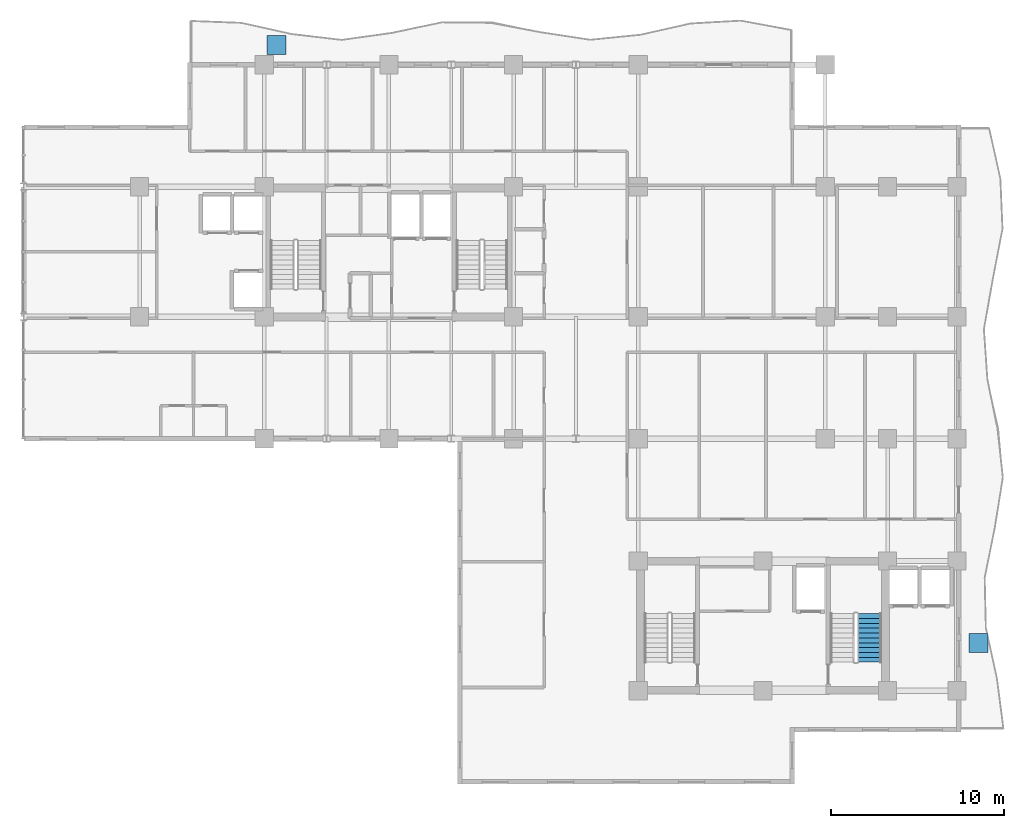
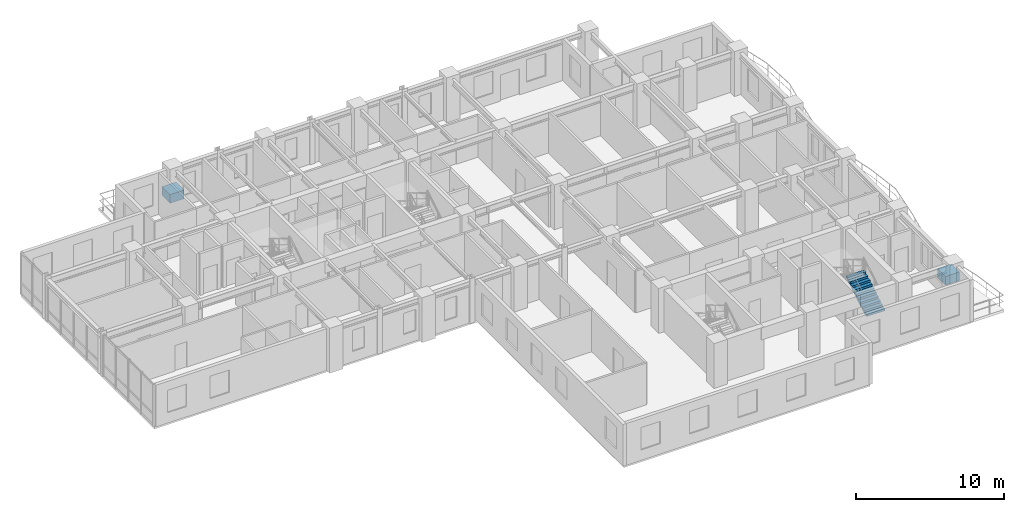
# One storey, part 15 of 18: 2 discrete accessories, 1 stair flight, 1 element without a shape of its own.
"""IFC4 building model written with IfcOpenShell, lengths in metres."""

import ifcopenshell
import ifcopenshell.guid

model = None  # the IFC model being written
_history = None  # IfcOwnerHistory: only IFC2X3 demands one
_inside = {}  # id of a spatial element -> (the spatial element, [elements in it])
_under = {}  # id of a project, library or spatial element -> (it, [spatial elements below it])
_declared = {}  # id of a project -> (the project, [libraries it declares])
_typed = {}  # id of a type object -> (the type object, [elements of that type])
_made_of = {}  # id of a material, layer set ... -> (it, [elements and type objects made of it])


def new_model(schema):
    """Start an empty IFC model of exactly this schema.

    Asked for "IFC4X3", IfcOpenShell would pick the latest addendum, in which some entities
    have other attributes; the version numbers below select the first issue.
    IFC2X3 requires an IfcOwnerHistory on every rooted entity: one is made here for all.
    """
    global model, _history
    if schema == "IFC4X3":
        model = ifcopenshell.file(schema_version=(4, 3, 0, 0))
    else:
        model = ifcopenshell.file(schema=schema)
    _inside.clear()
    _under.clear()
    _declared.clear()
    _typed.clear()
    _made_of.clear()
    _history = None
    if model.schema == "IFC2X3":
        org = make("IfcOrganization", Name="unknown")
        user = make(
            "IfcPersonAndOrganization",
            ThePerson=make("IfcPerson", FamilyName="unknown"),
            TheOrganization=org,
        )
        app = make(
            "IfcApplication",
            ApplicationDeveloper=org,
            Version="unknown",
            ApplicationFullName="unknown",
            ApplicationIdentifier="unknown",
        )
        _history = make(
            "IfcOwnerHistory",
            OwningUser=user,
            OwningApplication=app,
            ChangeAction="ADDED",
            CreationDate=0,
        )
    return model


def make(cls, **values):
    """One entity of the class cls with the attributes given. An attribute that is None is left unset."""
    return model.create_entity(
        cls, **{name: value for name, value in values.items() if value is not None}
    )


def rooted(cls, **values):
    """An entity with a GlobalId (a new one), such as an element, a storey or a relation."""
    return make(cls, GlobalId=ifcopenshell.guid.new(), OwnerHistory=_history, **values)


def si_unit(unit_type, name, prefix=None):
    """IfcSIUnit, for example si_unit("LENGTHUNIT", "METRE", prefix="MILLI")."""
    return make("IfcSIUnit", UnitType=unit_type, Prefix=prefix, Name=name)


def assignment(units):
    """IfcUnitAssignment: the units of a project."""
    return None if units is None else make("IfcUnitAssignment", Units=units)


def point(xyz):
    """IfcCartesianPoint."""
    return None if xyz is None else make("IfcCartesianPoint", Coordinates=xyz)


def direction(xyz):
    """IfcDirection."""
    return None if xyz is None else make("IfcDirection", DirectionRatios=xyz)


def frame(location, z_axis=None, x_axis=None):
    """IfcAxis2Placement3D, a coordinate frame: its origin and axes. An axis left out is left unset."""
    return make(
        "IfcAxis2Placement3D",
        Location=point(location),
        Axis=direction(z_axis),
        RefDirection=direction(x_axis),
    )


def frame_2d(location, x_axis=None):
    """IfcAxis2Placement2D, a coordinate frame in the plane: its origin and x axis."""
    return make(
        "IfcAxis2Placement2D", Location=point(location), RefDirection=direction(x_axis)
    )


def origin():
    """The frame at (0, 0, 0) with its axes left unset."""
    return frame((0.0, 0.0, 0.0))


def origin_2d():
    """The frame at (0, 0) in the plane with its x axis left unset."""
    return frame_2d((0.0, 0.0))


def place(relative_to, where):
    """IfcLocalPlacement: puts the frame where relative to a parent placement (None: the world)."""
    return make(
        "IfcLocalPlacement", PlacementRelTo=relative_to, RelativePlacement=where
    )


def context(
    kind, dimensions, precision=None, world=None, true_north=None, identifier=None
):
    """IfcGeometricRepresentationContext, for example the 3D "Model" context."""
    return make(
        "IfcGeometricRepresentationContext",
        ContextIdentifier=identifier,
        ContextType=kind,
        CoordinateSpaceDimension=dimensions,
        Precision=precision,
        WorldCoordinateSystem=world,
        TrueNorth=true_north,
    )


def subcontext(parent, identifier, kind, view, scale=None):
    """IfcGeometricRepresentationSubContext, for example "Body" below "Model"."""
    return make(
        "IfcGeometricRepresentationSubContext",
        ContextIdentifier=identifier,
        ContextType=kind,
        ParentContext=parent,
        TargetScale=scale,
        TargetView=view,
    )


def project(units=None, contexts=None):
    """IfcProject with its units and contexts."""
    return rooted(
        "IfcProject",
        Name="project",
        RepresentationContexts=contexts,
        UnitsInContext=assignment(units),
    )


def spatial(cls, under=None, at=None, **own):
    """A site, building, storey or space (cls), placed at a placement, below another one or the project."""
    s = rooted(cls, ObjectPlacement=at, **own)
    if under is not None:
        _under.setdefault(under.id(), (under, []))[1].append(s)
    return s


def polyline(points):
    """IfcPolyline through the points."""
    return make("IfcPolyline", Points=[point(p) for p in points])


def profile(cls, at=None, kind="AREA", **sizes):
    """A parametric profile (cls). Its sizes go by their IFC names, for example OverallWidth=200.0."""
    return make(cls, ProfileType=kind, Position=at, **sizes)


def rectangle(**sizes):
    """IfcRectangleProfileDef."""
    return profile("IfcRectangleProfileDef", **sizes)


def outline(outer, holes=None, kind="AREA"):
    """IfcArbitraryClosedProfileDef: a profile drawn as a closed curve; with holes, ...WithVoids."""
    if holes is None:
        return make("IfcArbitraryClosedProfileDef", ProfileType=kind, OuterCurve=outer)
    return make(
        "IfcArbitraryProfileDefWithVoids",
        ProfileType=kind,
        OuterCurve=outer,
        InnerCurves=holes,
    )


def extrude(swept, where, along, depth):
    """IfcExtrudedAreaSolid: the profile swept, set in the frame where, extruded along a direction by depth."""
    return make(
        "IfcExtrudedAreaSolid",
        SweptArea=swept,
        Position=where,
        ExtrudedDirection=direction(along),
        Depth=depth,
    )


def shape(context_of_items, identifier, shape_type, items):
    """IfcShapeRepresentation: the items that make up one representation, for example the "Body"."""
    return make(
        "IfcShapeRepresentation",
        ContextOfItems=context_of_items,
        RepresentationIdentifier=identifier,
        RepresentationType=shape_type,
        Items=items,
    )


def source(mapping_origin, context_of_items, identifier, shape_type, items):
    """IfcRepresentationMap: a shape defined once, which mapped items show again and again."""
    return make(
        "IfcRepresentationMap",
        MappingOrigin=mapping_origin,
        MappedRepresentation=shape(context_of_items, identifier, shape_type, items),
    )


def transform(
    local_origin,
    x_axis=None,
    y_axis=None,
    z_axis=None,
    scale=None,
    scale2=None,
    scale3=None,
    uniform=True,
):
    """IfcCartesianTransformationOperator3D, or its non-uniform kind. x_axis, y_axis, z_axis: its Axis1, 2, 3."""
    if uniform:
        return make(
            "IfcCartesianTransformationOperator3D",
            Axis1=direction(x_axis),
            Axis2=direction(y_axis),
            LocalOrigin=point(local_origin),
            Scale=scale,
            Axis3=direction(z_axis),
        )
    return make(
        "IfcCartesianTransformationOperator3DnonUniform",
        Axis1=direction(x_axis),
        Axis2=direction(y_axis),
        LocalOrigin=point(local_origin),
        Scale=scale,
        Axis3=direction(z_axis),
        Scale2=scale2,
        Scale3=scale3,
    )


def mapped(mapping_source, mapping_target):
    """IfcMappedItem: shows the shape of a source again, moved by a transform."""
    return make(
        "IfcMappedItem", MappingSource=mapping_source, MappingTarget=mapping_target
    )


def material(Name=None, Category=None):
    """IfcMaterial."""
    return make("IfcMaterial", Name=Name, Category=Category)


def made_of(thing, what):
    """Note that an element or type object is made of a material, layer set ...; save() writes the relation."""
    if what is not None:
        _made_of.setdefault(what.id(), (what, []))[1].append(thing)
    return thing


def type_object(cls, material=None, **own):
    """A type object (cls), such as IfcWallType, which elements share."""
    return made_of(rooted(cls, **own), material)


def element(
    cls,
    number,
    at=None,
    inside=None,
    cuts=None,
    type_object=None,
    material=None,
    context=None,
    identifier="Body",
    shape_type=None,
    held_by="IfcProductDefinitionShape",
    body=None,
    shapes=None,
    **own,
):
    """One element of the class cls, such as IfcWall. Its Tag is "e" and its number.

    at: its placement. inside: the storey or other place that contains it. cuts: it is an
    opening in that element (IfcRelVoidsElement). A single representation is given by context,
    identifier, shape_type and body (its items); several are given by shapes. held_by: the class
    of the entity that holds the representations. save() writes the other relations.
    """
    e = rooted(cls, Tag="e%d" % number, ObjectPlacement=at, **own)
    if body is not None:
        shapes = [shape(context, identifier, shape_type, body)]
    if shapes is not None:
        e.Representation = make(held_by, Representations=shapes)
    if inside is not None:
        _inside.setdefault(inside.id(), (inside, []))[1].append(e)
    if cuts is not None:
        rooted(
            "IfcRelVoidsElement", RelatingBuildingElement=cuts, RelatedOpeningElement=e
        )
    if type_object is not None:
        _typed.setdefault(type_object.id(), (type_object, []))[1].append(e)
    return made_of(e, material)


def aggregate(whole, parts):
    """IfcRelAggregates: a whole, such as a stair, and the parts it consists of."""
    return rooted("IfcRelAggregates", RelatingObject=whole, RelatedObjects=parts)


def save(model, path):
    """Write the relations noted so far, then the file.

    IfcRelAggregates (storeys below a building ...), IfcRelContainedInSpatialStructure (elements
    in a storey), IfcRelDefinesByType, IfcRelAssociatesMaterial and IfcRelDeclares: one each for
    every whole, place, type object, material and project.
    """
    for whole, parts in _under.values():
        aggregate(whole, parts)
    for where, things in _inside.values():
        rooted(
            "IfcRelContainedInSpatialStructure",
            RelatedElements=things,
            RelatingStructure=where,
        )
    for kind, things in _typed.values():
        rooted("IfcRelDefinesByType", RelatedObjects=things, RelatingType=kind)
    for what, things in _made_of.values():
        rooted("IfcRelAssociatesMaterial", RelatedObjects=things, RelatingMaterial=what)
    for by, libraries in _declared.values():
        rooted("IfcRelDeclares", RelatingContext=by, RelatedDefinitions=libraries)
    model.write(path)


model = new_model("IFC4")

# Units and contexts
model_context = context("Model", 3, precision=1e-05, world=origin(), true_north=direction((0.0, 1.0)))
body_context = subcontext(model_context, "Body", "Model", "MODEL_VIEW")
ifc_project = project(units=[si_unit("LENGTHUNIT", "METRE"), si_unit("AREAUNIT", "SQUARE_METRE"), si_unit("VOLUMEUNIT", "CUBIC_METRE"), si_unit("PLANEANGLEUNIT", "RADIAN"), si_unit("MASSUNIT", "GRAM", prefix="KILO")], contexts=[model_context])

# Site, building, storey
site_placement = place(None, origin())
site = spatial("IfcSite", under=ifc_project, at=site_placement, CompositionType="ELEMENT")
building_placement = place(site_placement, origin())
building = spatial("IfcBuilding", under=site, at=building_placement, Name="Kaliganga Portal Commons", CompositionType="ELEMENT")
storey_placement = place(building_placement, frame((0.0, 0.0, 169.800048828125)))
storey = spatial("IfcBuildingStorey", under=building, at=storey_placement, Name="L43", CompositionType="ELEMENT", Elevation=169.800048828125)

# Stair, stair flight
ifc_material_1 = material(Name="Concrete C40/50", Category="concrete")
stair_type = type_object("IfcStairType", Name="ST-CORE-DOGLEG", PredefinedType="HALF_TURN_STAIR", material=ifc_material_1)
stair_placement = place(storey_placement, origin())
stair = element("IfcStair", 1, at=stair_placement, inside=storey, type_object=stair_type, Name="L43 Protected Exit Stair ST-B2", PredefinedType="HALF_TURN_STAIR")
stair_flight_type = type_object("IfcStairFlightType", Name="STF-RC-1400", PredefinedType="STRAIGHT", material=ifc_material_1)
stair_flight_placement = place(storey_placement, frame((49.35009765625, 8.699951171875, 0.0), z_axis=(0.0, 0.0, 1.0), x_axis=(0.0, 1.0, 0.0)))
stair_flight = element("IfcStairFlight", 2, at=stair_flight_placement, type_object=stair_flight_type, Name="ST-B2 flight 1", NumberOfRisers=11, NumberOfTreads=10, PredefinedType="STRAIGHT", RiserHeight=0.168181818, TreadLength=0.28, context=body_context, shape_type="SweptSolid", body=[
    extrude(outline(polyline([(0.0, 0.0), (0.0, 0.168212890625), (0.280029296875, 0.168212890625), (0.280029296875, 0.33642578125), (0.56005859375, 0.33642578125), (0.56005859375, 0.504638671875), (0.840087890625, 0.504638671875), (0.840087890625, 0.672607421875), (1.1201171875, 0.672607421875), (1.1201171875, 0.8408203125), (1.39990234375, 0.8408203125), (1.39990234375, 1.009033203125), (1.679931640625, 1.009033203125), (1.679931640625, 1.17724609375), (1.9599609375, 1.17724609375), (1.9599609375, 1.345458984375), (2.239990234375, 1.345458984375), (2.239990234375, 1.513671875), (2.52001953125, 1.513671875), (2.52001953125, 1.681884765625), (2.800048828125, 1.681884765625), (2.800048828125, 1.85009765625), (2.800048828125, 1.5068359375), (0.291015625, 0.0), (0.0, 0.0)])), frame((0.0, 0.699951171875, 0.0), z_axis=(0.0, -1.0, 0.0), x_axis=(1.0, 0.0, 0.0)), (0.0, 0.0, 1.0), 1.39990234375),
])
aggregate(stair, [stair_flight])

# Discrete accessories
ifc_material_2 = material(Name="Precast concrete C40/50", Category="concrete")
discrete_accessory_type = type_object("IfcDiscreteAccessoryType", Name="DAC-PLANTER-RC", PredefinedType="USERDEFINED", material=ifc_material_2)
shared_shape = source(origin(), body_context, "Body", "SweptSolid", [
    extrude(rectangle(XDim=1.10009765625, YDim=1.10009765625, at=origin_2d()), origin(), (0.0, 0.0, 1.0), 0.719970703125),
])
for number, where, z_axis, x_axis, name in (
    (3, (15.10009765625, 44.35009765625, 0.0), (0.0, 0.0, 1.0), (1.0, 0.0, 0.0), "Structural Tree Planter L43 balc_north"),
    (4, (55.64990234375, 9.800048828125, 0.0), (0.0, 0.0, 1.0), (1.0, 0.0, 0.0), "Structural Tree Planter L43 balc_east"),
):
    element("IfcDiscreteAccessory", number, at=place(storey_placement, frame(where, z_axis=z_axis, x_axis=x_axis)), inside=storey, type_object=discrete_accessory_type, Name=name, ObjectType="PLANTER", PredefinedType="USERDEFINED", context=body_context, shape_type="MappedRepresentation", body=[
        mapped(shared_shape, transform((0.0, 0.0, 0.0), x_axis=(1.0, 0.0, 0.0), y_axis=(0.0, 1.0, 0.0), z_axis=(0.0, 0.0, 1.0), scale=1.0)),
    ])

save(model, "model.ifc")
